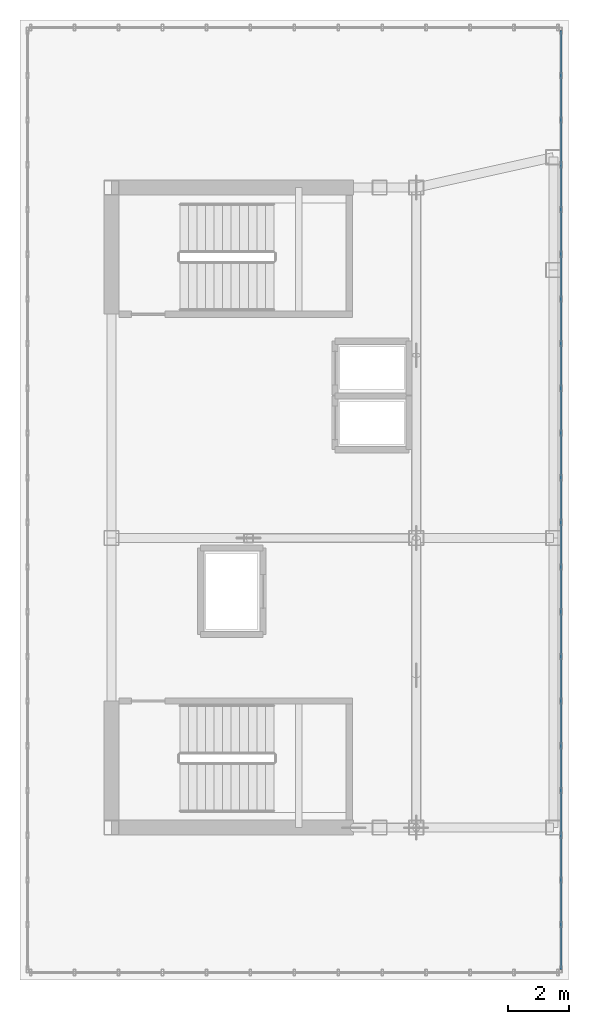
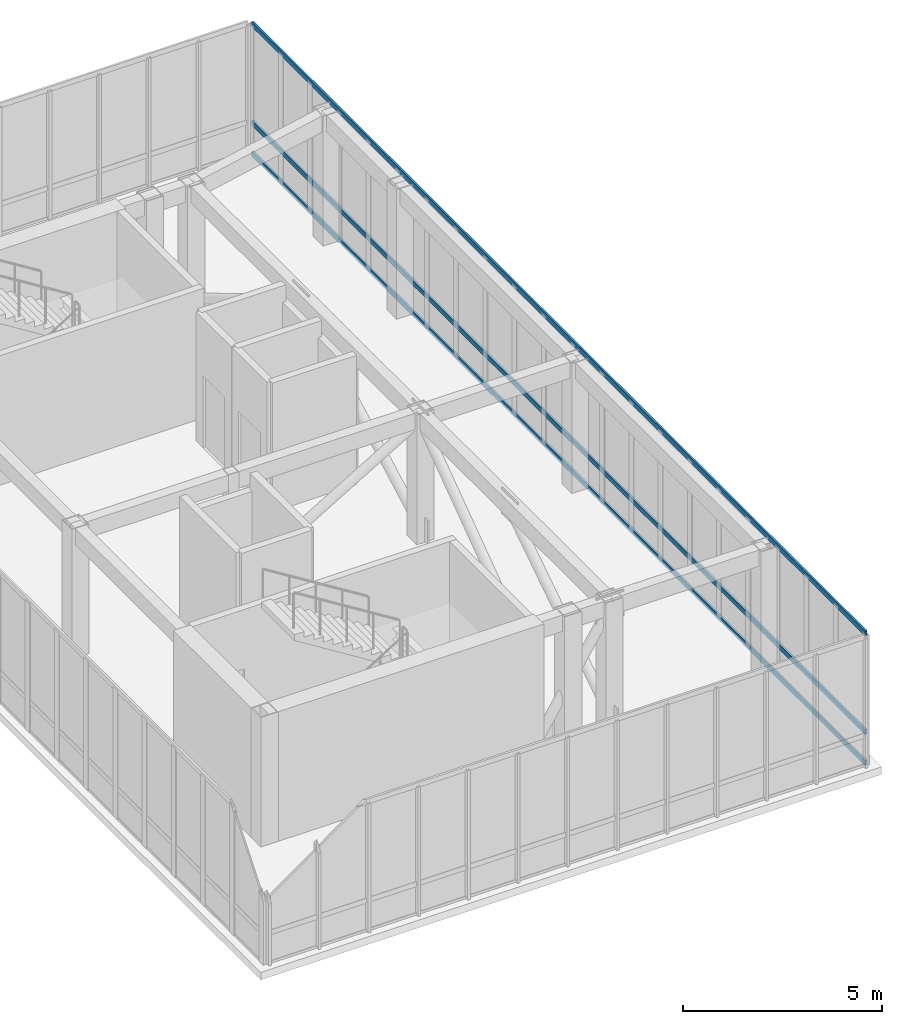
# One storey, part 7 of 13: 3 members, 1 element without a shape of its own.
"""IFC4 building model written with IfcOpenShell, lengths in metres."""

from ifc_helpers import new_model, si_unit, direction, frame, origin, origin_2d, place, context, subcontext, project, spatial, hollow_rectangle, extrude, source, transform, mapped, material, layer, layer_set, material_profile, profile_set, type_object, element, aggregate, save


model = new_model("IFC4")

# Units and contexts
model_context = context("Model", 3, precision=1e-05, world=origin(), true_north=direction((0.0, 1.0)))
body_context = subcontext(model_context, "Body", "Model", "MODEL_VIEW")
ifc_project = project(units=[si_unit("LENGTHUNIT", "METRE"), si_unit("AREAUNIT", "SQUARE_METRE"), si_unit("VOLUMEUNIT", "CUBIC_METRE"), si_unit("PLANEANGLEUNIT", "RADIAN"), si_unit("MASSUNIT", "GRAM", prefix="KILO")], contexts=[model_context])

# Site, building, storey
site_placement = place(None, origin())
site = spatial("IfcSite", under=ifc_project, at=site_placement, CompositionType="ELEMENT")
building_placement = place(site_placement, origin())
building = spatial("IfcBuilding", under=site, at=building_placement, Name="Kharzan Plaza Tower", CompositionType="ELEMENT")
storey_placement = place(building_placement, frame((0.0, 0.0, 277.199951171875)))
storey = spatial("IfcBuildingStorey", under=building, at=storey_placement, Name="L75-CROWN", CompositionType="ELEMENT", Elevation=277.199951171875)

# Curtain wall, members
ifc_material_1 = material(Name="Unitised Bronze-Anodized Aluminium and Low-E Glass", Category="aluminium")
ifc_layer = layer(ifc_material_1, 0.199951171875)
ifc_layer_set = layer_set([ifc_layer], Name="Unitised Bronze-Anodized Aluminium and Low-E Glass")
curtain_wall_type = type_object("IfcCurtainWallType", Name="CW-LANTERN-6", PredefinedType="NOTDEFINED", material=ifc_layer_set)
curtain_wall_placement = place(storey_placement, origin())
curtain_wall = element("IfcCurtainWall", 1, at=curtain_wall_placement, inside=storey, type_object=curtain_wall_type, Name="L75-CROWN Lantern Crown Illuminated Curtain Wall 2", PredefinedType="NOTDEFINED")
ifc_material_2 = material(Name="Anodized Bronze Aluminium", Category="aluminium")
ifc_material_profile = material_profile(ifc_material_2, hollow_rectangle(XDim=0.06005859375, YDim=0.14990234375, WallThickness=0.00341796875, at=origin_2d()), Name="ALU-T150x60x3.5")
ifc_profile_set = profile_set([ifc_material_profile], Name="Anodized Bronze Aluminium")
member_type = type_object("IfcMemberType", Name="MEM-CW-TRN150", PredefinedType="USERDEFINED", material=ifc_profile_set)
shared_shape = source(origin(), body_context, "Body", "SweptSolid", [
    extrude(hollow_rectangle(XDim=0.06005859375, YDim=0.14990234375, WallThickness=0.00341796875, at=origin_2d()), origin(), (0.0, 0.0, 1.0), 30.7998046875),
])
member_1_placement = place(storey_placement, frame((19.25, 3.85009765625, 0.0), z_axis=(0.0, 1.0, 0.0), x_axis=(-1.0, 0.0, 0.0)))
member_1 = element("IfcMember", 2, at=member_1_placement, type_object=member_type, Name="L75-CROWN Curtain-Wall Transom 1", ObjectType="TRANSOM", PredefinedType="USERDEFINED", context=body_context, shape_type="MappedRepresentation", body=[
    mapped(shared_shape, transform((0.0, 0.0, 0.0), x_axis=(1.0, 0.0, 0.0), y_axis=(0.0, 1.0, 0.0), z_axis=(0.0, 0.0, 1.0))),
])
member_2_placement = place(storey_placement, frame((19.25, 3.85009765625, 0.949951171875), z_axis=(0.0, 1.0, 0.0), x_axis=(-1.0, 0.0, 0.0)))
member_2 = element("IfcMember", 3, at=member_2_placement, type_object=member_type, Name="L75-CROWN Curtain-Wall Transom 2", ObjectType="TRANSOM", PredefinedType="USERDEFINED", context=body_context, shape_type="MappedRepresentation", body=[
    mapped(shared_shape, transform((0.0, 0.0, 0.0), x_axis=(1.0, 0.0, 0.0), y_axis=(0.0, 1.0, 0.0), z_axis=(0.0, 0.0, 1.0))),
])
member_3_placement = place(storey_placement, frame((19.25, 3.85009765625, 3.969970703125), z_axis=(0.0, 1.0, 0.0), x_axis=(-1.0, 0.0, 0.0)))
member_3 = element("IfcMember", 4, at=member_3_placement, type_object=member_type, Name="L75-CROWN Curtain-Wall Transom 3", ObjectType="TRANSOM", PredefinedType="USERDEFINED", context=body_context, shape_type="MappedRepresentation", body=[
    mapped(shared_shape, transform((0.0, 0.0, 0.0), x_axis=(1.0, 0.0, 0.0), y_axis=(0.0, 1.0, 0.0), z_axis=(0.0, 0.0, 1.0))),
])
aggregate(curtain_wall, [member_1, member_2, member_3])

save(model, "model.ifc")
